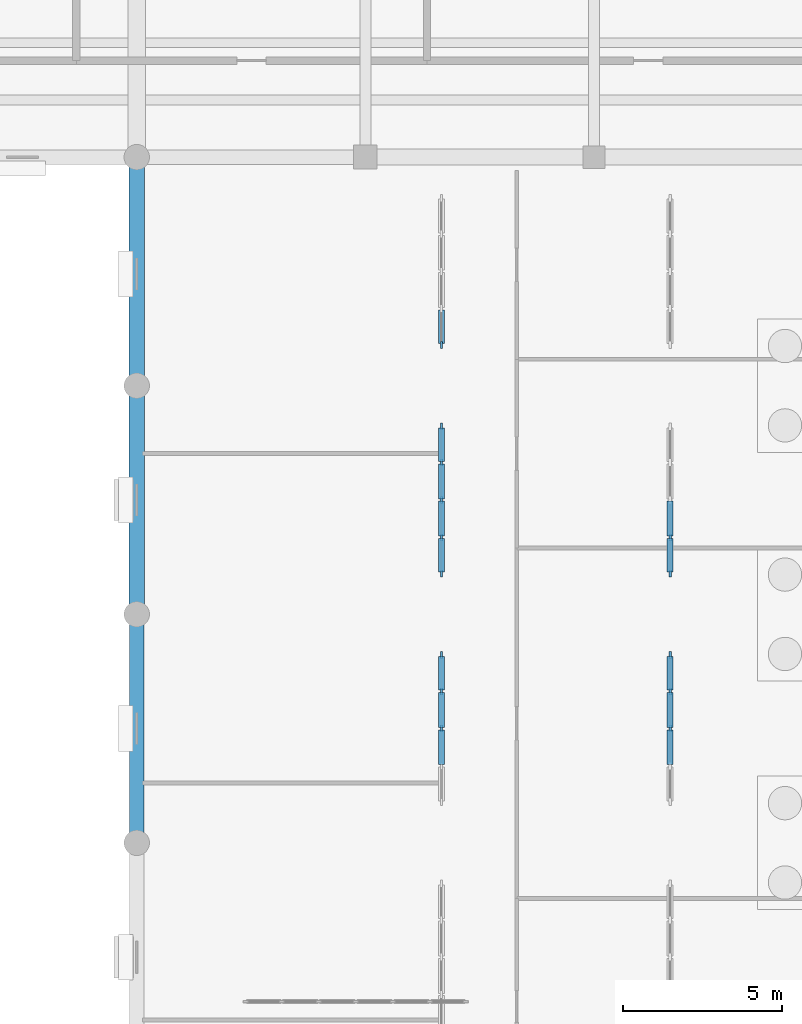
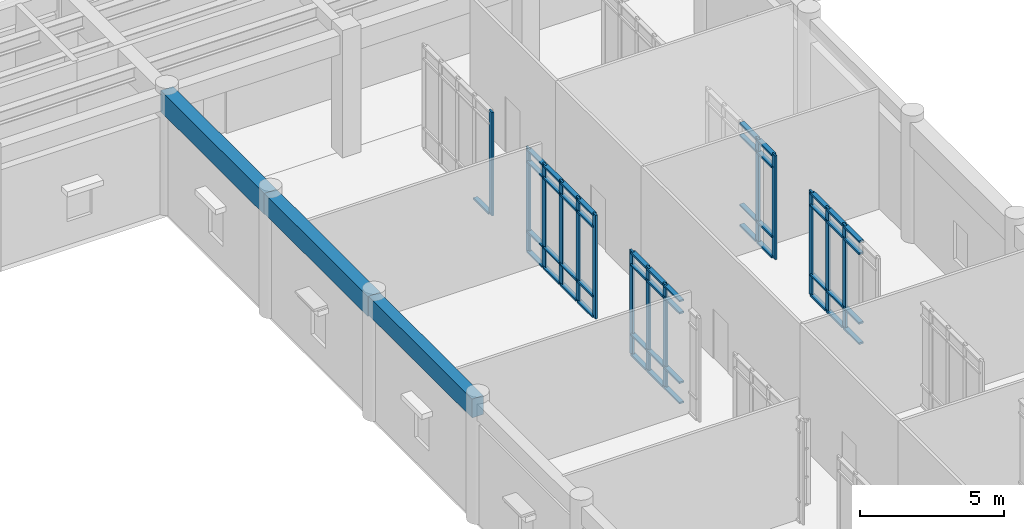
# One storey, part 28 of 100: 63 members, 3 beams, 5 elements without a shape of their own.
"""IFC4 building model written with IfcOpenShell, lengths in metres."""

from ifc_helpers import new_model, si_unit, direction, frame, origin, origin_2d, place, context, subcontext, project, spatial, rectangle, extrude, material, material_profile, profile_set, type_object, element, aggregate, save


model = new_model("IFC4")

# Units and contexts
model_context = context("Model", 3, precision=1e-05, world=origin(), true_north=direction((0.0, 1.0)))
body_context = subcontext(model_context, "Body", "Model", "MODEL_VIEW")
ifc_project = project(units=[si_unit("LENGTHUNIT", "METRE"), si_unit("AREAUNIT", "SQUARE_METRE"), si_unit("VOLUMEUNIT", "CUBIC_METRE"), si_unit("PLANEANGLEUNIT", "RADIAN"), si_unit("MASSUNIT", "GRAM", prefix="KILO")], contexts=[model_context])

# Site, building, storey
site_placement = place(None, origin())
site = spatial("IfcSite", under=ifc_project, at=site_placement, CompositionType="ELEMENT")
building_placement = place(site_placement, origin())
building = spatial("IfcBuilding", under=site, at=building_placement, Name="Mithqara Police Headquarters", CompositionType="ELEMENT")
storey_placement = place(building_placement, origin())
storey = spatial("IfcBuildingStorey", under=building, at=storey_placement, Name="L00", CompositionType="ELEMENT", Elevation=0.0)

# Beams
ifc_material_1 = material(Name="Concrete C40/50", Category="concrete")
ifc_material_profile_1 = material_profile(ifc_material_1, rectangle(XDim=0.449951171875, YDim=0.800048828125, at=origin_2d()), Name="RC 450x800")
ifc_profile_set_1 = profile_set([ifc_material_profile_1], Name="Concrete C40/50")
beam_type_1 = type_object("IfcBeamType", Name="BEAM RC450X800", PredefinedType="BEAM", material=ifc_profile_set_1)
beam_1_placement = place(storey_placement, frame((72.60009765625, 57.0, 4.719970703125), z_axis=(0.0, 1.0, 0.0), x_axis=(-1.0, 0.0, 0.0)))
element("IfcBeam", 1, at=beam_1_placement, inside=storey, type_object=beam_type_1, Name="L00 Girder 11/J-K", PredefinedType="BEAM", context=body_context, shape_type="SweptSolid", body=[
    extrude(rectangle(XDim=0.449951171875, YDim=0.800048828125, at=origin_2d()), origin(), (0.0, 0.0, 1.0), 7.199951171875),
])
ifc_material_profile_2 = material_profile(ifc_material_1, rectangle(XDim=0.5, YDim=0.85009765625, at=origin_2d()), Name="RC 500x850")
ifc_profile_set_2 = profile_set([ifc_material_profile_2], Name="Concrete C40/50")
beam_type_2 = type_object("IfcBeamType", Name="BEAM RC500X850", PredefinedType="BEAM", material=ifc_profile_set_2)
beam_2_placement = place(storey_placement, frame((72.60009765625, 64.199951171875, 4.695068359375), z_axis=(0.0, 1.0, 0.0), x_axis=(-1.0, 0.0, 0.0)))
element("IfcBeam", 2, at=beam_2_placement, inside=storey, type_object=beam_type_2, Name="L00 Girder 11/K-L", PredefinedType="BEAM", context=body_context, shape_type="SweptSolid", body=[
    extrude(rectangle(XDim=0.5, YDim=0.85009765625, at=origin_2d()), origin(), (0.0, 0.0, 1.0), 7.199951171875),
])
ifc_material_2 = material(Name="Concrete C50/60", Category="concrete")
ifc_material_profile_3 = material_profile(ifc_material_2, rectangle(XDim=0.5, YDim=0.89990234375, at=origin_2d()), Name="RC 500x900")
ifc_profile_set_3 = profile_set([ifc_material_profile_3], Name="Concrete C50/60")
beam_type_3 = type_object("IfcBeamType", Name="BEAM RC500X900", PredefinedType="BEAM", material=ifc_profile_set_3)
beam_3_placement = place(storey_placement, frame((72.60009765625, 71.39990234375, 4.669921875), z_axis=(0.0, 1.0, 0.0), x_axis=(-1.0, 0.0, 0.0)))
element("IfcBeam", 3, at=beam_3_placement, inside=storey, type_object=beam_type_3, Name="L00 Girder 11/L-M", PredefinedType="BEAM", context=body_context, shape_type="SweptSolid", body=[
    extrude(rectangle(XDim=0.5, YDim=0.89990234375, at=origin_2d()), origin(), (0.0, 0.0, 1.0), 7.2001953125),
])

# Curtain wall, members
ifc_material_3 = material(Name="Bronze anodised aluminium 6063-T6", Category="aluminium")
curtain_wall_type = type_object("IfcCurtainWallType", Name="CURTAIN WALL 4700X4400", PredefinedType="USERDEFINED", material=ifc_material_3)
curtain_wall_1_placement = place(storey_placement, origin())
curtain_wall_1 = element("IfcCurtainWall", 4, at=curtain_wall_1_placement, inside=storey, type_object=curtain_wall_type, Name="L00 Unitised Glazing CW-14 (CW-INT-L00-X11-Y08-0)", ObjectType="UNITISED GLAZING", PredefinedType="USERDEFINED")
ifc_material_profile_4 = material_profile(ifc_material_3, rectangle(XDim=0.074951171875, YDim=0.219970703125, at=origin_2d()), Name="CWM 75x220")
ifc_profile_set_4 = profile_set([ifc_material_profile_4], Name="Bronze anodised aluminium 6063-T6")
member_type_1 = type_object("IfcMemberType", Name="CWMULLION 75X220", PredefinedType="MULLION", material=ifc_profile_set_4)
member_1_placement = place(storey_placement, frame((82.199951171875, 60.60009765625, 0.0), z_axis=(0.0, 0.0, 1.0), x_axis=(-1.0, 0.0, 0.0)))
member_1 = element("IfcMember", 5, at=member_1_placement, type_object=member_type_1, Name="CW-14 mullion 3", PredefinedType="MULLION", context=body_context, shape_type="SweptSolid", body=[
    extrude(rectangle(XDim=0.074951171875, YDim=0.219970703125, at=origin_2d()), origin(), (0.0, 0.0, 1.0), 4.39990234375),
])
member_2_placement = place(storey_placement, frame((82.199951171875, 61.77490234375, 0.0), z_axis=(0.0, 0.0, 1.0), x_axis=(-1.0, 0.0, 0.0)))
member_2 = element("IfcMember", 6, at=member_2_placement, type_object=member_type_1, Name="CW-14 mullion 4", PredefinedType="MULLION", context=body_context, shape_type="SweptSolid", body=[
    extrude(rectangle(XDim=0.074951171875, YDim=0.219970703125, at=origin_2d()), origin(), (0.0, 0.0, 1.0), 4.39990234375),
])
member_3_placement = place(storey_placement, frame((82.199951171875, 62.91259765625, 0.0), z_axis=(0.0, 0.0, 1.0), x_axis=(-1.0, 0.0, 0.0)))
member_3 = element("IfcMember", 7, at=member_3_placement, type_object=member_type_1, Name="CW-14 mullion 5", PredefinedType="MULLION", context=body_context, shape_type="SweptSolid", body=[
    extrude(rectangle(XDim=0.074951171875, YDim=0.219970703125, at=origin_2d()), origin(), (0.0, 0.0, 1.0), 4.39990234375),
])

curtain_wall_2_placement = place(storey_placement, origin())
curtain_wall_2 = element("IfcCurtainWall", 8, at=curtain_wall_2_placement, inside=storey, type_object=curtain_wall_type, Name="L00 Unitised Glazing CW-14 (CW-INT-L00-X11-Y09-0)", ObjectType="UNITISED GLAZING", PredefinedType="USERDEFINED")
member_4_placement = place(storey_placement, frame((82.199951171875, 65.487548828125, 0.0), z_axis=(0.0, 0.0, 1.0), x_axis=(-1.0, 0.0, 0.0)))
member_4 = element("IfcMember", 9, at=member_4_placement, type_object=member_type_1, Name="CW-14 mullion 1", PredefinedType="MULLION", context=body_context, shape_type="SweptSolid", body=[
    extrude(rectangle(XDim=0.074951171875, YDim=0.219970703125, at=origin_2d()), origin(), (0.0, 0.0, 1.0), 4.39990234375),
])
member_5_placement = place(storey_placement, frame((82.199951171875, 66.625, 0.0), z_axis=(0.0, 0.0, 1.0), x_axis=(-1.0, 0.0, 0.0)))
member_5 = element("IfcMember", 10, at=member_5_placement, type_object=member_type_1, Name="CW-14 mullion 2", PredefinedType="MULLION", context=body_context, shape_type="SweptSolid", body=[
    extrude(rectangle(XDim=0.074951171875, YDim=0.219970703125, at=origin_2d()), origin(), (0.0, 0.0, 1.0), 4.39990234375),
])
member_6_placement = place(storey_placement, frame((82.199951171875, 67.800048828125, 0.0), z_axis=(0.0, 0.0, 1.0), x_axis=(-1.0, 0.0, 0.0)))
member_6 = element("IfcMember", 11, at=member_6_placement, type_object=member_type_1, Name="CW-14 mullion 3", PredefinedType="MULLION", context=body_context, shape_type="SweptSolid", body=[
    extrude(rectangle(XDim=0.074951171875, YDim=0.219970703125, at=origin_2d()), origin(), (0.0, 0.0, 1.0), 4.39990234375),
])
member_7_placement = place(storey_placement, frame((82.199951171875, 68.97509765625, 0.0), z_axis=(0.0, 0.0, 1.0), x_axis=(-1.0, 0.0, 0.0)))
member_7 = element("IfcMember", 12, at=member_7_placement, type_object=member_type_1, Name="CW-14 mullion 4", PredefinedType="MULLION", context=body_context, shape_type="SweptSolid", body=[
    extrude(rectangle(XDim=0.074951171875, YDim=0.219970703125, at=origin_2d()), origin(), (0.0, 0.0, 1.0), 4.39990234375),
])
member_8_placement = place(storey_placement, frame((82.199951171875, 70.112548828125, 0.0), z_axis=(0.0, 0.0, 1.0), x_axis=(-1.0, 0.0, 0.0)))
member_8 = element("IfcMember", 13, at=member_8_placement, type_object=member_type_1, Name="CW-14 mullion 5", PredefinedType="MULLION", context=body_context, shape_type="SweptSolid", body=[
    extrude(rectangle(XDim=0.074951171875, YDim=0.219970703125, at=origin_2d()), origin(), (0.0, 0.0, 1.0), 4.39990234375),
])

# Curtain wall, member
curtain_wall_3_placement = place(storey_placement, origin())
curtain_wall_3 = element("IfcCurtainWall", 14, at=curtain_wall_3_placement, inside=storey, type_object=curtain_wall_type, Name="L00 Unitised Glazing CW-14 (CW-INT-L00-X11-Y10-0)", ObjectType="UNITISED GLAZING", PredefinedType="USERDEFINED")
member_9_placement = place(storey_placement, frame((82.199951171875, 72.6875, 0.0), z_axis=(0.0, 0.0, 1.0), x_axis=(-1.0, 0.0, 0.0)))
member_9 = element("IfcMember", 15, at=member_9_placement, type_object=member_type_1, Name="CW-14 mullion 1", PredefinedType="MULLION", context=body_context, shape_type="SweptSolid", body=[
    extrude(rectangle(XDim=0.074951171875, YDim=0.219970703125, at=origin_2d()), origin(), (0.0, 0.0, 1.0), 4.39990234375),
])

# Curtain wall, members
curtain_wall_4_placement = place(storey_placement, origin())
curtain_wall_4 = element("IfcCurtainWall", 16, at=curtain_wall_4_placement, inside=storey, type_object=curtain_wall_type, Name="L00 Unitised Glazing CW-14 (CW-INT-L00-X12-Y08-0)", ObjectType="UNITISED GLAZING", PredefinedType="USERDEFINED")
member_10_placement = place(storey_placement, frame((89.39990234375, 60.60009765625, 0.0), z_axis=(0.0, 0.0, 1.0), x_axis=(-1.0, 0.0, 0.0)))
member_10 = element("IfcMember", 17, at=member_10_placement, type_object=member_type_1, Name="CW-14 mullion 3", PredefinedType="MULLION", context=body_context, shape_type="SweptSolid", body=[
    extrude(rectangle(XDim=0.074951171875, YDim=0.219970703125, at=origin_2d()), origin(), (0.0, 0.0, 1.0), 4.39990234375),
])
member_11_placement = place(storey_placement, frame((89.39990234375, 61.77490234375, 0.0), z_axis=(0.0, 0.0, 1.0), x_axis=(-1.0, 0.0, 0.0)))
member_11 = element("IfcMember", 18, at=member_11_placement, type_object=member_type_1, Name="CW-14 mullion 4", PredefinedType="MULLION", context=body_context, shape_type="SweptSolid", body=[
    extrude(rectangle(XDim=0.074951171875, YDim=0.219970703125, at=origin_2d()), origin(), (0.0, 0.0, 1.0), 4.39990234375),
])
member_12_placement = place(storey_placement, frame((89.39990234375, 62.91259765625, 0.0), z_axis=(0.0, 0.0, 1.0), x_axis=(-1.0, 0.0, 0.0)))
member_12 = element("IfcMember", 19, at=member_12_placement, type_object=member_type_1, Name="CW-14 mullion 5", PredefinedType="MULLION", context=body_context, shape_type="SweptSolid", body=[
    extrude(rectangle(XDim=0.074951171875, YDim=0.219970703125, at=origin_2d()), origin(), (0.0, 0.0, 1.0), 4.39990234375),
])

curtain_wall_5_placement = place(storey_placement, origin())
curtain_wall_5 = element("IfcCurtainWall", 20, at=curtain_wall_5_placement, inside=storey, type_object=curtain_wall_type, Name="L00 Unitised Glazing CW-14 (CW-INT-L00-X12-Y09-0)", ObjectType="UNITISED GLAZING", PredefinedType="USERDEFINED")
member_13_placement = place(storey_placement, frame((89.39990234375, 65.487548828125, 0.0), z_axis=(0.0, 0.0, 1.0), x_axis=(-1.0, 0.0, 0.0)))
member_13 = element("IfcMember", 21, at=member_13_placement, type_object=member_type_1, Name="CW-14 mullion 1", PredefinedType="MULLION", context=body_context, shape_type="SweptSolid", body=[
    extrude(rectangle(XDim=0.074951171875, YDim=0.219970703125, at=origin_2d()), origin(), (0.0, 0.0, 1.0), 4.39990234375),
])
member_14_placement = place(storey_placement, frame((89.39990234375, 66.625, 0.0), z_axis=(0.0, 0.0, 1.0), x_axis=(-1.0, 0.0, 0.0)))
member_14 = element("IfcMember", 22, at=member_14_placement, type_object=member_type_1, Name="CW-14 mullion 2", PredefinedType="MULLION", context=body_context, shape_type="SweptSolid", body=[
    extrude(rectangle(XDim=0.074951171875, YDim=0.219970703125, at=origin_2d()), origin(), (0.0, 0.0, 1.0), 4.39990234375),
])

# Member
ifc_material_profile_5 = material_profile(ifc_material_3, rectangle(XDim=0.179931640625, YDim=0.074951171875, at=origin_2d()), Name="CWT 180x75")
ifc_profile_set_5 = profile_set([ifc_material_profile_5], Name="Bronze anodised aluminium 6063-T6")
member_type_2 = type_object("IfcMemberType", Name="CWTRANSOM 180X75", PredefinedType="USERDEFINED", material=ifc_profile_set_5)
member_15_placement = place(storey_placement, frame((82.199951171875, 59.46240234375, 0.03759765625), z_axis=(0.0, 1.0, 0.0), x_axis=(-1.0, 0.0, 0.0)))
member_15 = element("IfcMember", 23, at=member_15_placement, type_object=member_type_2, Name="CW-14 transom 2.1", ObjectType="TRANSOM", PredefinedType="USERDEFINED", context=body_context, shape_type="SweptSolid", body=[
    extrude(rectangle(XDim=0.179931640625, YDim=0.074951171875, at=origin_2d()), origin(), (0.0, 0.0, 1.0), 1.10009765625),
])

member_16_placement = place(storey_placement, frame((82.199951171875, 59.46240234375, 0.89990234375), z_axis=(0.0, 1.0, 0.0), x_axis=(-1.0, 0.0, 0.0)))
member_16 = element("IfcMember", 24, at=member_16_placement, type_object=member_type_2, Name="CW-14 transom 2.2", ObjectType="TRANSOM", PredefinedType="USERDEFINED", context=body_context, shape_type="SweptSolid", body=[
    extrude(rectangle(XDim=0.179931640625, YDim=0.074951171875, at=origin_2d()), origin(), (0.0, 0.0, 1.0), 1.10009765625),
])

member_17_placement = place(storey_placement, frame((82.199951171875, 59.46240234375, 3.85009765625), z_axis=(0.0, 1.0, 0.0), x_axis=(-1.0, 0.0, 0.0)))
member_17 = element("IfcMember", 25, at=member_17_placement, type_object=member_type_2, Name="CW-14 transom 2.3", ObjectType="TRANSOM", PredefinedType="USERDEFINED", context=body_context, shape_type="SweptSolid", body=[
    extrude(rectangle(XDim=0.179931640625, YDim=0.074951171875, at=origin_2d()), origin(), (0.0, 0.0, 1.0), 1.10009765625),
])

member_18_placement = place(storey_placement, frame((82.199951171875, 59.46240234375, 4.362548828125), z_axis=(0.0, 1.0, 0.0), x_axis=(-1.0, 0.0, 0.0)))
member_18 = element("IfcMember", 26, at=member_18_placement, type_object=member_type_2, Name="CW-14 transom 2.4", ObjectType="TRANSOM", PredefinedType="USERDEFINED", context=body_context, shape_type="SweptSolid", body=[
    extrude(rectangle(XDim=0.179931640625, YDim=0.074951171875, at=origin_2d()), origin(), (0.0, 0.0, 1.0), 1.10009765625),
])

member_19_placement = place(storey_placement, frame((82.199951171875, 60.637451171875, 0.03759765625), z_axis=(0.0, 1.0, 0.0), x_axis=(-1.0, 0.0, 0.0)))
member_19 = element("IfcMember", 27, at=member_19_placement, type_object=member_type_2, Name="CW-14 transom 3.1", ObjectType="TRANSOM", PredefinedType="USERDEFINED", context=body_context, shape_type="SweptSolid", body=[
    extrude(rectangle(XDim=0.179931640625, YDim=0.074951171875, at=origin_2d()), origin(), (0.0, 0.0, 1.0), 1.10009765625),
])

member_20_placement = place(storey_placement, frame((82.199951171875, 60.637451171875, 0.89990234375), z_axis=(0.0, 1.0, 0.0), x_axis=(-1.0, 0.0, 0.0)))
member_20 = element("IfcMember", 28, at=member_20_placement, type_object=member_type_2, Name="CW-14 transom 3.2", ObjectType="TRANSOM", PredefinedType="USERDEFINED", context=body_context, shape_type="SweptSolid", body=[
    extrude(rectangle(XDim=0.179931640625, YDim=0.074951171875, at=origin_2d()), origin(), (0.0, 0.0, 1.0), 1.10009765625),
])

member_21_placement = place(storey_placement, frame((82.199951171875, 60.637451171875, 3.85009765625), z_axis=(0.0, 1.0, 0.0), x_axis=(-1.0, 0.0, 0.0)))
member_21 = element("IfcMember", 29, at=member_21_placement, type_object=member_type_2, Name="CW-14 transom 3.3", ObjectType="TRANSOM", PredefinedType="USERDEFINED", context=body_context, shape_type="SweptSolid", body=[
    extrude(rectangle(XDim=0.179931640625, YDim=0.074951171875, at=origin_2d()), origin(), (0.0, 0.0, 1.0), 1.10009765625),
])

member_22_placement = place(storey_placement, frame((82.199951171875, 60.637451171875, 4.362548828125), z_axis=(0.0, 1.0, 0.0), x_axis=(-1.0, 0.0, 0.0)))
member_22 = element("IfcMember", 30, at=member_22_placement, type_object=member_type_2, Name="CW-14 transom 3.4", ObjectType="TRANSOM", PredefinedType="USERDEFINED", context=body_context, shape_type="SweptSolid", body=[
    extrude(rectangle(XDim=0.179931640625, YDim=0.074951171875, at=origin_2d()), origin(), (0.0, 0.0, 1.0), 1.10009765625),
])

member_23_placement = place(storey_placement, frame((82.199951171875, 61.8125, 0.03759765625), z_axis=(0.0, 1.0, 0.0), x_axis=(-1.0, 0.0, 0.0)))
member_23 = element("IfcMember", 31, at=member_23_placement, type_object=member_type_2, Name="CW-14 transom 4.1", ObjectType="TRANSOM", PredefinedType="USERDEFINED", context=body_context, shape_type="SweptSolid", body=[
    extrude(rectangle(XDim=0.179931640625, YDim=0.074951171875, at=origin_2d()), origin(), (0.0, 0.0, 1.0), 1.0625),
])

member_24_placement = place(storey_placement, frame((82.199951171875, 61.8125, 0.89990234375), z_axis=(0.0, 1.0, 0.0), x_axis=(-1.0, 0.0, 0.0)))
member_24 = element("IfcMember", 32, at=member_24_placement, type_object=member_type_2, Name="CW-14 transom 4.2", ObjectType="TRANSOM", PredefinedType="USERDEFINED", context=body_context, shape_type="SweptSolid", body=[
    extrude(rectangle(XDim=0.179931640625, YDim=0.074951171875, at=origin_2d()), origin(), (0.0, 0.0, 1.0), 1.0625),
])

member_25_placement = place(storey_placement, frame((82.199951171875, 61.8125, 3.85009765625), z_axis=(0.0, 1.0, 0.0), x_axis=(-1.0, 0.0, 0.0)))
member_25 = element("IfcMember", 33, at=member_25_placement, type_object=member_type_2, Name="CW-14 transom 4.3", ObjectType="TRANSOM", PredefinedType="USERDEFINED", context=body_context, shape_type="SweptSolid", body=[
    extrude(rectangle(XDim=0.179931640625, YDim=0.074951171875, at=origin_2d()), origin(), (0.0, 0.0, 1.0), 1.0625),
])

member_26_placement = place(storey_placement, frame((82.199951171875, 61.8125, 4.362548828125), z_axis=(0.0, 1.0, 0.0), x_axis=(-1.0, 0.0, 0.0)))
member_26 = element("IfcMember", 34, at=member_26_placement, type_object=member_type_2, Name="CW-14 transom 4.4", ObjectType="TRANSOM", PredefinedType="USERDEFINED", context=body_context, shape_type="SweptSolid", body=[
    extrude(rectangle(XDim=0.179931640625, YDim=0.074951171875, at=origin_2d()), origin(), (0.0, 0.0, 1.0), 1.0625),
])

aggregate(curtain_wall_1, [member_1, member_2, member_3, member_15, member_16, member_17, member_18, member_19, member_20, member_21, member_22, member_23, member_24, member_25, member_26])

member_27_placement = place(storey_placement, frame((82.199951171875, 65.52490234375, 0.03759765625), z_axis=(0.0, 1.0, 0.0), x_axis=(-1.0, 0.0, 0.0)))
member_27 = element("IfcMember", 35, at=member_27_placement, type_object=member_type_2, Name="CW-14 transom 1.1", ObjectType="TRANSOM", PredefinedType="USERDEFINED", context=body_context, shape_type="SweptSolid", body=[
    extrude(rectangle(XDim=0.179931640625, YDim=0.074951171875, at=origin_2d()), origin(), (0.0, 0.0, 1.0), 1.0625),
])

member_28_placement = place(storey_placement, frame((82.199951171875, 65.52490234375, 0.89990234375), z_axis=(0.0, 1.0, 0.0), x_axis=(-1.0, 0.0, 0.0)))
member_28 = element("IfcMember", 36, at=member_28_placement, type_object=member_type_2, Name="CW-14 transom 1.2", ObjectType="TRANSOM", PredefinedType="USERDEFINED", context=body_context, shape_type="SweptSolid", body=[
    extrude(rectangle(XDim=0.179931640625, YDim=0.074951171875, at=origin_2d()), origin(), (0.0, 0.0, 1.0), 1.0625),
])

member_29_placement = place(storey_placement, frame((82.199951171875, 65.52490234375, 3.85009765625), z_axis=(0.0, 1.0, 0.0), x_axis=(-1.0, 0.0, 0.0)))
member_29 = element("IfcMember", 37, at=member_29_placement, type_object=member_type_2, Name="CW-14 transom 1.3", ObjectType="TRANSOM", PredefinedType="USERDEFINED", context=body_context, shape_type="SweptSolid", body=[
    extrude(rectangle(XDim=0.179931640625, YDim=0.074951171875, at=origin_2d()), origin(), (0.0, 0.0, 1.0), 1.0625),
])

member_30_placement = place(storey_placement, frame((82.199951171875, 65.52490234375, 4.362548828125), z_axis=(0.0, 1.0, 0.0), x_axis=(-1.0, 0.0, 0.0)))
member_30 = element("IfcMember", 38, at=member_30_placement, type_object=member_type_2, Name="CW-14 transom 1.4", ObjectType="TRANSOM", PredefinedType="USERDEFINED", context=body_context, shape_type="SweptSolid", body=[
    extrude(rectangle(XDim=0.179931640625, YDim=0.074951171875, at=origin_2d()), origin(), (0.0, 0.0, 1.0), 1.0625),
])

member_31_placement = place(storey_placement, frame((82.199951171875, 66.66259765625, 0.03759765625), z_axis=(0.0, 1.0, 0.0), x_axis=(-1.0, 0.0, 0.0)))
member_31 = element("IfcMember", 39, at=member_31_placement, type_object=member_type_2, Name="CW-14 transom 2.1", ObjectType="TRANSOM", PredefinedType="USERDEFINED", context=body_context, shape_type="SweptSolid", body=[
    extrude(rectangle(XDim=0.179931640625, YDim=0.074951171875, at=origin_2d()), origin(), (0.0, 0.0, 1.0), 1.099853515625),
])

member_32_placement = place(storey_placement, frame((82.199951171875, 66.66259765625, 0.89990234375), z_axis=(0.0, 1.0, 0.0), x_axis=(-1.0, 0.0, 0.0)))
member_32 = element("IfcMember", 40, at=member_32_placement, type_object=member_type_2, Name="CW-14 transom 2.2", ObjectType="TRANSOM", PredefinedType="USERDEFINED", context=body_context, shape_type="SweptSolid", body=[
    extrude(rectangle(XDim=0.179931640625, YDim=0.074951171875, at=origin_2d()), origin(), (0.0, 0.0, 1.0), 1.099853515625),
])

member_33_placement = place(storey_placement, frame((82.199951171875, 66.66259765625, 3.85009765625), z_axis=(0.0, 1.0, 0.0), x_axis=(-1.0, 0.0, 0.0)))
member_33 = element("IfcMember", 41, at=member_33_placement, type_object=member_type_2, Name="CW-14 transom 2.3", ObjectType="TRANSOM", PredefinedType="USERDEFINED", context=body_context, shape_type="SweptSolid", body=[
    extrude(rectangle(XDim=0.179931640625, YDim=0.074951171875, at=origin_2d()), origin(), (0.0, 0.0, 1.0), 1.099853515625),
])

member_34_placement = place(storey_placement, frame((82.199951171875, 66.66259765625, 4.362548828125), z_axis=(0.0, 1.0, 0.0), x_axis=(-1.0, 0.0, 0.0)))
member_34 = element("IfcMember", 42, at=member_34_placement, type_object=member_type_2, Name="CW-14 transom 2.4", ObjectType="TRANSOM", PredefinedType="USERDEFINED", context=body_context, shape_type="SweptSolid", body=[
    extrude(rectangle(XDim=0.179931640625, YDim=0.074951171875, at=origin_2d()), origin(), (0.0, 0.0, 1.0), 1.099853515625),
])

member_35_placement = place(storey_placement, frame((82.199951171875, 67.83740234375, 0.03759765625), z_axis=(0.0, 1.0, 0.0), x_axis=(-1.0, 0.0, 0.0)))
member_35 = element("IfcMember", 43, at=member_35_placement, type_object=member_type_2, Name="CW-14 transom 3.1", ObjectType="TRANSOM", PredefinedType="USERDEFINED", context=body_context, shape_type="SweptSolid", body=[
    extrude(rectangle(XDim=0.179931640625, YDim=0.074951171875, at=origin_2d()), origin(), (0.0, 0.0, 1.0), 1.10009765625),
])

member_36_placement = place(storey_placement, frame((82.199951171875, 67.83740234375, 0.89990234375), z_axis=(0.0, 1.0, 0.0), x_axis=(-1.0, 0.0, 0.0)))
member_36 = element("IfcMember", 44, at=member_36_placement, type_object=member_type_2, Name="CW-14 transom 3.2", ObjectType="TRANSOM", PredefinedType="USERDEFINED", context=body_context, shape_type="SweptSolid", body=[
    extrude(rectangle(XDim=0.179931640625, YDim=0.074951171875, at=origin_2d()), origin(), (0.0, 0.0, 1.0), 1.10009765625),
])

member_37_placement = place(storey_placement, frame((82.199951171875, 67.83740234375, 3.85009765625), z_axis=(0.0, 1.0, 0.0), x_axis=(-1.0, 0.0, 0.0)))
member_37 = element("IfcMember", 45, at=member_37_placement, type_object=member_type_2, Name="CW-14 transom 3.3", ObjectType="TRANSOM", PredefinedType="USERDEFINED", context=body_context, shape_type="SweptSolid", body=[
    extrude(rectangle(XDim=0.179931640625, YDim=0.074951171875, at=origin_2d()), origin(), (0.0, 0.0, 1.0), 1.10009765625),
])

member_38_placement = place(storey_placement, frame((82.199951171875, 67.83740234375, 4.362548828125), z_axis=(0.0, 1.0, 0.0), x_axis=(-1.0, 0.0, 0.0)))
member_38 = element("IfcMember", 46, at=member_38_placement, type_object=member_type_2, Name="CW-14 transom 3.4", ObjectType="TRANSOM", PredefinedType="USERDEFINED", context=body_context, shape_type="SweptSolid", body=[
    extrude(rectangle(XDim=0.179931640625, YDim=0.074951171875, at=origin_2d()), origin(), (0.0, 0.0, 1.0), 1.10009765625),
])

member_39_placement = place(storey_placement, frame((82.199951171875, 69.012451171875, 0.03759765625), z_axis=(0.0, 1.0, 0.0), x_axis=(-1.0, 0.0, 0.0)))
member_39 = element("IfcMember", 47, at=member_39_placement, type_object=member_type_2, Name="CW-14 transom 4.1", ObjectType="TRANSOM", PredefinedType="USERDEFINED", context=body_context, shape_type="SweptSolid", body=[
    extrude(rectangle(XDim=0.179931640625, YDim=0.074951171875, at=origin_2d()), origin(), (0.0, 0.0, 1.0), 1.0625),
])

member_40_placement = place(storey_placement, frame((82.199951171875, 69.012451171875, 0.89990234375), z_axis=(0.0, 1.0, 0.0), x_axis=(-1.0, 0.0, 0.0)))
member_40 = element("IfcMember", 48, at=member_40_placement, type_object=member_type_2, Name="CW-14 transom 4.2", ObjectType="TRANSOM", PredefinedType="USERDEFINED", context=body_context, shape_type="SweptSolid", body=[
    extrude(rectangle(XDim=0.179931640625, YDim=0.074951171875, at=origin_2d()), origin(), (0.0, 0.0, 1.0), 1.0625),
])

member_41_placement = place(storey_placement, frame((82.199951171875, 69.012451171875, 3.85009765625), z_axis=(0.0, 1.0, 0.0), x_axis=(-1.0, 0.0, 0.0)))
member_41 = element("IfcMember", 49, at=member_41_placement, type_object=member_type_2, Name="CW-14 transom 4.3", ObjectType="TRANSOM", PredefinedType="USERDEFINED", context=body_context, shape_type="SweptSolid", body=[
    extrude(rectangle(XDim=0.179931640625, YDim=0.074951171875, at=origin_2d()), origin(), (0.0, 0.0, 1.0), 1.0625),
])

member_42_placement = place(storey_placement, frame((82.199951171875, 69.012451171875, 4.362548828125), z_axis=(0.0, 1.0, 0.0), x_axis=(-1.0, 0.0, 0.0)))
member_42 = element("IfcMember", 50, at=member_42_placement, type_object=member_type_2, Name="CW-14 transom 4.4", ObjectType="TRANSOM", PredefinedType="USERDEFINED", context=body_context, shape_type="SweptSolid", body=[
    extrude(rectangle(XDim=0.179931640625, YDim=0.074951171875, at=origin_2d()), origin(), (0.0, 0.0, 1.0), 1.0625),
])

aggregate(curtain_wall_2, [member_4, member_5, member_6, member_7, member_8, member_27, member_28, member_29, member_30, member_31, member_32, member_33, member_34, member_35, member_36, member_37, member_38, member_39, member_40, member_41, member_42])

member_43_placement = place(storey_placement, frame((82.199951171875, 72.72509765625, 0.03759765625), z_axis=(0.0, 1.0, 0.0), x_axis=(-1.0, 0.0, 0.0)))
member_43 = element("IfcMember", 51, at=member_43_placement, type_object=member_type_2, Name="CW-14 transom 1.1", ObjectType="TRANSOM", PredefinedType="USERDEFINED", context=body_context, shape_type="SweptSolid", body=[
    extrude(rectangle(XDim=0.179931640625, YDim=0.074951171875, at=origin_2d()), origin(), (0.0, 0.0, 1.0), 1.0625),
])

aggregate(curtain_wall_3, [member_9, member_43])

member_44_placement = place(storey_placement, frame((89.39990234375, 59.46240234375, 0.03759765625), z_axis=(0.0, 1.0, 0.0), x_axis=(-1.0, 0.0, 0.0)))
member_44 = element("IfcMember", 52, at=member_44_placement, type_object=member_type_2, Name="CW-14 transom 2.1", ObjectType="TRANSOM", PredefinedType="USERDEFINED", context=body_context, shape_type="SweptSolid", body=[
    extrude(rectangle(XDim=0.179931640625, YDim=0.074951171875, at=origin_2d()), origin(), (0.0, 0.0, 1.0), 1.10009765625),
])

member_45_placement = place(storey_placement, frame((89.39990234375, 59.46240234375, 0.89990234375), z_axis=(0.0, 1.0, 0.0), x_axis=(-1.0, 0.0, 0.0)))
member_45 = element("IfcMember", 53, at=member_45_placement, type_object=member_type_2, Name="CW-14 transom 2.2", ObjectType="TRANSOM", PredefinedType="USERDEFINED", context=body_context, shape_type="SweptSolid", body=[
    extrude(rectangle(XDim=0.179931640625, YDim=0.074951171875, at=origin_2d()), origin(), (0.0, 0.0, 1.0), 1.10009765625),
])

member_46_placement = place(storey_placement, frame((89.39990234375, 59.46240234375, 3.85009765625), z_axis=(0.0, 1.0, 0.0), x_axis=(-1.0, 0.0, 0.0)))
member_46 = element("IfcMember", 54, at=member_46_placement, type_object=member_type_2, Name="CW-14 transom 2.3", ObjectType="TRANSOM", PredefinedType="USERDEFINED", context=body_context, shape_type="SweptSolid", body=[
    extrude(rectangle(XDim=0.179931640625, YDim=0.074951171875, at=origin_2d()), origin(), (0.0, 0.0, 1.0), 1.10009765625),
])

member_47_placement = place(storey_placement, frame((89.39990234375, 59.46240234375, 4.362548828125), z_axis=(0.0, 1.0, 0.0), x_axis=(-1.0, 0.0, 0.0)))
member_47 = element("IfcMember", 55, at=member_47_placement, type_object=member_type_2, Name="CW-14 transom 2.4", ObjectType="TRANSOM", PredefinedType="USERDEFINED", context=body_context, shape_type="SweptSolid", body=[
    extrude(rectangle(XDim=0.179931640625, YDim=0.074951171875, at=origin_2d()), origin(), (0.0, 0.0, 1.0), 1.10009765625),
])

member_48_placement = place(storey_placement, frame((89.39990234375, 60.637451171875, 0.03759765625), z_axis=(0.0, 1.0, 0.0), x_axis=(-1.0, 0.0, 0.0)))
member_48 = element("IfcMember", 56, at=member_48_placement, type_object=member_type_2, Name="CW-14 transom 3.1", ObjectType="TRANSOM", PredefinedType="USERDEFINED", context=body_context, shape_type="SweptSolid", body=[
    extrude(rectangle(XDim=0.179931640625, YDim=0.074951171875, at=origin_2d()), origin(), (0.0, 0.0, 1.0), 1.10009765625),
])

member_49_placement = place(storey_placement, frame((89.39990234375, 60.637451171875, 0.89990234375), z_axis=(0.0, 1.0, 0.0), x_axis=(-1.0, 0.0, 0.0)))
member_49 = element("IfcMember", 57, at=member_49_placement, type_object=member_type_2, Name="CW-14 transom 3.2", ObjectType="TRANSOM", PredefinedType="USERDEFINED", context=body_context, shape_type="SweptSolid", body=[
    extrude(rectangle(XDim=0.179931640625, YDim=0.074951171875, at=origin_2d()), origin(), (0.0, 0.0, 1.0), 1.10009765625),
])

member_50_placement = place(storey_placement, frame((89.39990234375, 60.637451171875, 3.85009765625), z_axis=(0.0, 1.0, 0.0), x_axis=(-1.0, 0.0, 0.0)))
member_50 = element("IfcMember", 58, at=member_50_placement, type_object=member_type_2, Name="CW-14 transom 3.3", ObjectType="TRANSOM", PredefinedType="USERDEFINED", context=body_context, shape_type="SweptSolid", body=[
    extrude(rectangle(XDim=0.179931640625, YDim=0.074951171875, at=origin_2d()), origin(), (0.0, 0.0, 1.0), 1.10009765625),
])

member_51_placement = place(storey_placement, frame((89.39990234375, 60.637451171875, 4.362548828125), z_axis=(0.0, 1.0, 0.0), x_axis=(-1.0, 0.0, 0.0)))
member_51 = element("IfcMember", 59, at=member_51_placement, type_object=member_type_2, Name="CW-14 transom 3.4", ObjectType="TRANSOM", PredefinedType="USERDEFINED", context=body_context, shape_type="SweptSolid", body=[
    extrude(rectangle(XDim=0.179931640625, YDim=0.074951171875, at=origin_2d()), origin(), (0.0, 0.0, 1.0), 1.10009765625),
])

member_52_placement = place(storey_placement, frame((89.39990234375, 61.8125, 0.03759765625), z_axis=(0.0, 1.0, 0.0), x_axis=(-1.0, 0.0, 0.0)))
member_52 = element("IfcMember", 60, at=member_52_placement, type_object=member_type_2, Name="CW-14 transom 4.1", ObjectType="TRANSOM", PredefinedType="USERDEFINED", context=body_context, shape_type="SweptSolid", body=[
    extrude(rectangle(XDim=0.179931640625, YDim=0.074951171875, at=origin_2d()), origin(), (0.0, 0.0, 1.0), 1.0625),
])

member_53_placement = place(storey_placement, frame((89.39990234375, 61.8125, 0.89990234375), z_axis=(0.0, 1.0, 0.0), x_axis=(-1.0, 0.0, 0.0)))
member_53 = element("IfcMember", 61, at=member_53_placement, type_object=member_type_2, Name="CW-14 transom 4.2", ObjectType="TRANSOM", PredefinedType="USERDEFINED", context=body_context, shape_type="SweptSolid", body=[
    extrude(rectangle(XDim=0.179931640625, YDim=0.074951171875, at=origin_2d()), origin(), (0.0, 0.0, 1.0), 1.0625),
])

member_54_placement = place(storey_placement, frame((89.39990234375, 61.8125, 3.85009765625), z_axis=(0.0, 1.0, 0.0), x_axis=(-1.0, 0.0, 0.0)))
member_54 = element("IfcMember", 62, at=member_54_placement, type_object=member_type_2, Name="CW-14 transom 4.3", ObjectType="TRANSOM", PredefinedType="USERDEFINED", context=body_context, shape_type="SweptSolid", body=[
    extrude(rectangle(XDim=0.179931640625, YDim=0.074951171875, at=origin_2d()), origin(), (0.0, 0.0, 1.0), 1.0625),
])

member_55_placement = place(storey_placement, frame((89.39990234375, 61.8125, 4.362548828125), z_axis=(0.0, 1.0, 0.0), x_axis=(-1.0, 0.0, 0.0)))
member_55 = element("IfcMember", 63, at=member_55_placement, type_object=member_type_2, Name="CW-14 transom 4.4", ObjectType="TRANSOM", PredefinedType="USERDEFINED", context=body_context, shape_type="SweptSolid", body=[
    extrude(rectangle(XDim=0.179931640625, YDim=0.074951171875, at=origin_2d()), origin(), (0.0, 0.0, 1.0), 1.0625),
])

aggregate(curtain_wall_4, [member_10, member_11, member_12, member_44, member_45, member_46, member_47, member_48, member_49, member_50, member_51, member_52, member_53, member_54, member_55])

member_56_placement = place(storey_placement, frame((89.39990234375, 65.52490234375, 0.03759765625), z_axis=(0.0, 1.0, 0.0), x_axis=(-1.0, 0.0, 0.0)))
member_56 = element("IfcMember", 64, at=member_56_placement, type_object=member_type_2, Name="CW-14 transom 1.1", ObjectType="TRANSOM", PredefinedType="USERDEFINED", context=body_context, shape_type="SweptSolid", body=[
    extrude(rectangle(XDim=0.179931640625, YDim=0.074951171875, at=origin_2d()), origin(), (0.0, 0.0, 1.0), 1.0625),
])

member_57_placement = place(storey_placement, frame((89.39990234375, 65.52490234375, 0.89990234375), z_axis=(0.0, 1.0, 0.0), x_axis=(-1.0, 0.0, 0.0)))
member_57 = element("IfcMember", 65, at=member_57_placement, type_object=member_type_2, Name="CW-14 transom 1.2", ObjectType="TRANSOM", PredefinedType="USERDEFINED", context=body_context, shape_type="SweptSolid", body=[
    extrude(rectangle(XDim=0.179931640625, YDim=0.074951171875, at=origin_2d()), origin(), (0.0, 0.0, 1.0), 1.0625),
])

member_58_placement = place(storey_placement, frame((89.39990234375, 65.52490234375, 3.85009765625), z_axis=(0.0, 1.0, 0.0), x_axis=(-1.0, 0.0, 0.0)))
member_58 = element("IfcMember", 66, at=member_58_placement, type_object=member_type_2, Name="CW-14 transom 1.3", ObjectType="TRANSOM", PredefinedType="USERDEFINED", context=body_context, shape_type="SweptSolid", body=[
    extrude(rectangle(XDim=0.179931640625, YDim=0.074951171875, at=origin_2d()), origin(), (0.0, 0.0, 1.0), 1.0625),
])

member_59_placement = place(storey_placement, frame((89.39990234375, 65.52490234375, 4.362548828125), z_axis=(0.0, 1.0, 0.0), x_axis=(-1.0, 0.0, 0.0)))
member_59 = element("IfcMember", 67, at=member_59_placement, type_object=member_type_2, Name="CW-14 transom 1.4", ObjectType="TRANSOM", PredefinedType="USERDEFINED", context=body_context, shape_type="SweptSolid", body=[
    extrude(rectangle(XDim=0.179931640625, YDim=0.074951171875, at=origin_2d()), origin(), (0.0, 0.0, 1.0), 1.0625),
])

member_60_placement = place(storey_placement, frame((89.39990234375, 66.66259765625, 0.03759765625), z_axis=(0.0, 1.0, 0.0), x_axis=(-1.0, 0.0, 0.0)))
member_60 = element("IfcMember", 68, at=member_60_placement, type_object=member_type_2, Name="CW-14 transom 2.1", ObjectType="TRANSOM", PredefinedType="USERDEFINED", context=body_context, shape_type="SweptSolid", body=[
    extrude(rectangle(XDim=0.179931640625, YDim=0.074951171875, at=origin_2d()), origin(), (0.0, 0.0, 1.0), 1.099853515625),
])

member_61_placement = place(storey_placement, frame((89.39990234375, 66.66259765625, 0.89990234375), z_axis=(0.0, 1.0, 0.0), x_axis=(-1.0, 0.0, 0.0)))
member_61 = element("IfcMember", 69, at=member_61_placement, type_object=member_type_2, Name="CW-14 transom 2.2", ObjectType="TRANSOM", PredefinedType="USERDEFINED", context=body_context, shape_type="SweptSolid", body=[
    extrude(rectangle(XDim=0.179931640625, YDim=0.074951171875, at=origin_2d()), origin(), (0.0, 0.0, 1.0), 1.099853515625),
])

member_62_placement = place(storey_placement, frame((89.39990234375, 66.66259765625, 3.85009765625), z_axis=(0.0, 1.0, 0.0), x_axis=(-1.0, 0.0, 0.0)))
member_62 = element("IfcMember", 70, at=member_62_placement, type_object=member_type_2, Name="CW-14 transom 2.3", ObjectType="TRANSOM", PredefinedType="USERDEFINED", context=body_context, shape_type="SweptSolid", body=[
    extrude(rectangle(XDim=0.179931640625, YDim=0.074951171875, at=origin_2d()), origin(), (0.0, 0.0, 1.0), 1.099853515625),
])

member_63_placement = place(storey_placement, frame((89.39990234375, 66.66259765625, 4.362548828125), z_axis=(0.0, 1.0, 0.0), x_axis=(-1.0, 0.0, 0.0)))
member_63 = element("IfcMember", 71, at=member_63_placement, type_object=member_type_2, Name="CW-14 transom 2.4", ObjectType="TRANSOM", PredefinedType="USERDEFINED", context=body_context, shape_type="SweptSolid", body=[
    extrude(rectangle(XDim=0.179931640625, YDim=0.074951171875, at=origin_2d()), origin(), (0.0, 0.0, 1.0), 1.099853515625),
])

aggregate(curtain_wall_5, [member_13, member_14, member_56, member_57, member_58, member_59, member_60, member_61, member_62, member_63])

save(model, "model.ifc")
